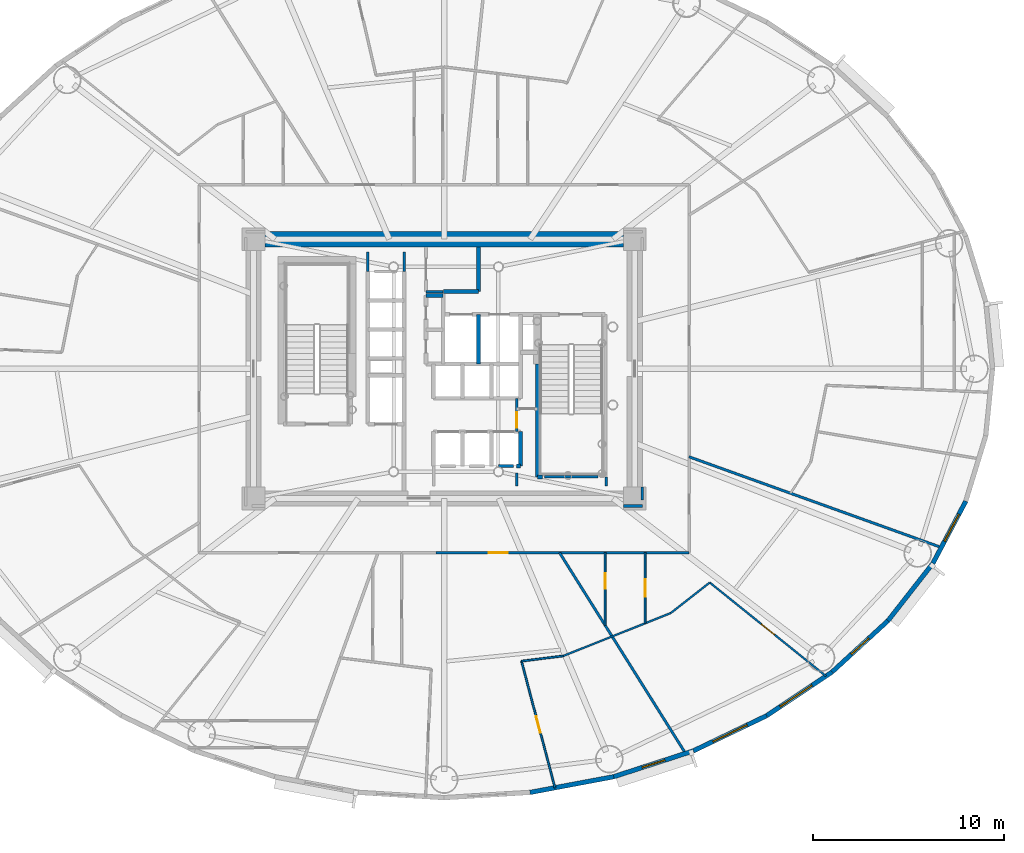
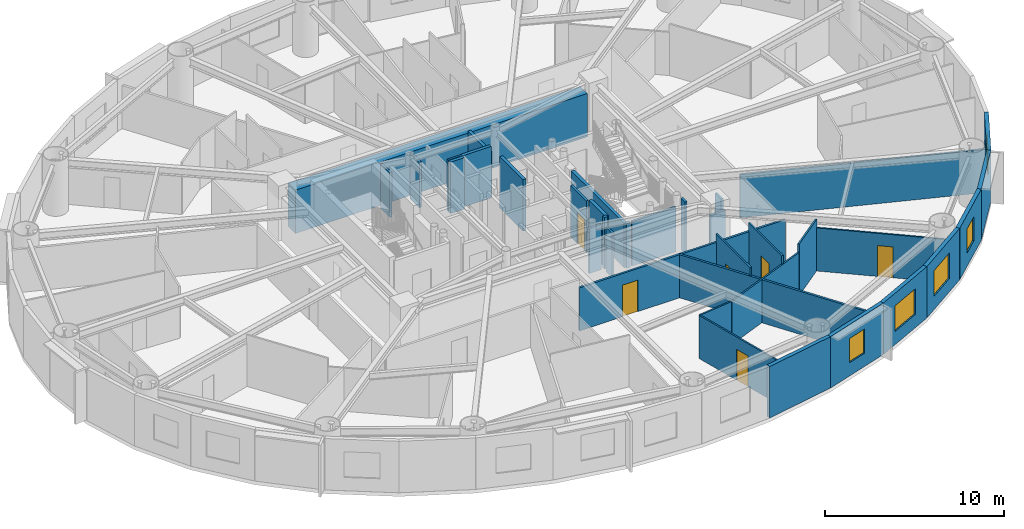
# One storey, part 10 of 19: 36 walls, 6 doors, 5 windows, 11 openings.
"""IFC4 building model written with IfcOpenShell, lengths in metres."""

from ifc_helpers import new_model, si_unit, direction, frame, frame_2d, origin, origin_2d, place, context, subcontext, project, spatial, rectangle, extrude, source, transform, mapped, material, layer, layer_set, type_object, element, fill, save


model = new_model("IFC4")

# Units and contexts
model_context = context("Model", 3, precision=1e-05, world=origin(), true_north=direction((0.0, 1.0)))
body_context = subcontext(model_context, "Body", "Model", "MODEL_VIEW")
ifc_project = project(units=[si_unit("LENGTHUNIT", "METRE"), si_unit("AREAUNIT", "SQUARE_METRE"), si_unit("VOLUMEUNIT", "CUBIC_METRE"), si_unit("PLANEANGLEUNIT", "RADIAN"), si_unit("MASSUNIT", "GRAM", prefix="KILO")], contexts=[model_context])

# Site, building, storey
site_placement = place(None, origin())
site = spatial("IfcSite", under=ifc_project, at=site_placement, CompositionType="ELEMENT")
building_placement = place(site_placement, origin())
building = spatial("IfcBuilding", under=site, at=building_placement, Name="Linh Dai School and Residence Tower", CompositionType="ELEMENT")
storey_placement = place(building_placement, frame((0.0, 0.0, 119.699951171875)))
storey = spatial("IfcBuildingStorey", under=building, at=storey_placement, Name="L28", CompositionType="ELEMENT", Elevation=119.699951171875)

# Wall
ifc_material_1 = material(Name="Precast Concrete B45 (C35/45)", Category="concrete")
ifc_layer_1 = layer(ifc_material_1, 0.239990234375)
ifc_layer_set_1 = layer_set([ifc_layer_1], Name="Precast Concrete B45 (C35/45)")
wall_type_1 = type_object("IfcWallType", Name="EW-TC-240", PredefinedType="SOLIDWALL", material=ifc_layer_set_1)
wall_1_placement = place(storey_placement, frame((44.899658203125, 5.5986328125, 0.0), z_axis=(0.0, 0.0, 1.0), x_axis=(-0.982789252177, -0.184730305596, 0.0)))
element("IfcWall", 1, at=wall_1_placement, inside=storey, type_object=wall_type_1, Name="L28 Terracotta Exterior Wall 32", PredefinedType="SOLIDWALL", context=body_context, shape_type="SweptSolid", body=[
    extrude(rectangle(XDim=4.470947265625, YDim=0.239990234375, at=frame_2d((2.2353515625, 0.0))), origin(), (0.0, 0.0, 1.0), 3.5),
])

# Wall, opening, window
wall_2_placement = place(storey_placement, frame((49.073974609375, 6.95263671875, 0.0), z_axis=(0.0, 0.0, 1.0), x_axis=(-0.951211346073, -0.308540070495, 0.0)))
wall_2 = element("IfcWall", 2, at=wall_2_placement, inside=storey, type_object=wall_type_1, Name="L28 Terracotta Exterior Wall 33", PredefinedType="SOLIDWALL", context=body_context, shape_type="SweptSolid", body=[
    extrude(rectangle(XDim=4.388427734375, YDim=0.239990234375, at=frame_2d((2.1943359375, 0.0))), origin(), (0.0, 0.0, 1.0), 3.5),
])
opening_1_placement = place(wall_2_placement, frame((1.569091796875, 0.0, 0.89990234375)))
opening_1 = element("IfcOpeningElement", 3, at=opening_1_placement, cuts=wall_2, Name="Opening W3", PredefinedType="OPENING", context=body_context, shape_type="SweptSolid", body=[
    extrude(rectangle(XDim=1.25, YDim=1.64990234375, at=origin_2d()), frame((0.625, 0.1298828125, 0.824951171875), z_axis=(0.0, -1.0, 0.0), x_axis=(1.0, 0.0, 0.0)), (0.0, 0.0, 1.0), 0.260009765625),
])
ifc_material_2 = material(Name="Double Low-E Insulated Glazing", Category="glass")
window_type_1 = type_object("IfcWindowType", Name="WN-RES-1250x1650", PartitioningType="SINGLE_PANEL", PredefinedType="WINDOW", material=ifc_material_2)
shared_shape_1 = source(origin(), body_context, "Body", "SweptSolid", [
    extrude(rectangle(XDim=1.25, YDim=1.64990234375, at=origin_2d()), frame((0.625, 0.030029296875, 0.824951171875), z_axis=(0.0, -1.0, 0.0), x_axis=(1.0, 0.0, 0.0)), (0.0, 0.0, 1.0), 0.06005859375),
])
window_1_placement = place(opening_1_placement, origin())
window_1 = element("IfcWindow", 4, at=window_1_placement, inside=storey, type_object=window_type_1, Name="L28 Dwelling Window U2805-BD2", OverallHeight=1.64990234375, OverallWidth=1.25, PartitioningType="SINGLE_PANEL", PredefinedType="WINDOW", context=body_context, shape_type="MappedRepresentation", body=[
    mapped(shared_shape_1, transform((0.0, 0.0, 0.0), x_axis=(1.0, 0.0, 0.0), y_axis=(0.0, 1.0, 0.0), z_axis=(0.0, 0.0, 1.0), scale=1.0)),
])
fill(opening_1, window_1)

wall_3_placement = place(storey_placement, frame((52.92529296875, 8.800537109375, 0.0), z_axis=(0.0, 0.0, 1.0), x_axis=(-0.901589935876, -0.432591709962, 0.0)))
wall_3 = element("IfcWall", 5, at=wall_3_placement, inside=storey, type_object=wall_type_1, Name="L28 Terracotta Exterior Wall 34", PredefinedType="SOLIDWALL", context=body_context, shape_type="SweptSolid", body=[
    extrude(rectangle(XDim=4.271728515625, YDim=0.239990234375, at=frame_2d((2.1357421875, 0.0))), origin(), (0.0, 0.0, 1.0), 3.5),
])
opening_2_placement = place(wall_3_placement, frame((1.135986328125, 0.0, 0.89990234375)))
opening_2 = element("IfcOpeningElement", 6, at=opening_2_placement, cuts=wall_3, Name="Opening W1", PredefinedType="OPENING", context=body_context, shape_type="SweptSolid", body=[
    extrude(rectangle(XDim=2.0, YDim=1.75, at=origin_2d()), frame((1.0, 0.1298828125, 0.875), z_axis=(0.0, -1.0, 0.0), x_axis=(1.0, 0.0, 0.0)), (0.0, 0.0, 1.0), 0.260009765625),
])
window_type_2 = type_object("IfcWindowType", Name="WN-RES-2000x1750", PartitioningType="DOUBLE_PANEL_VERTICAL", PredefinedType="WINDOW", material=ifc_material_2)
shared_shape_2 = source(origin(), body_context, "Body", "SweptSolid", [
    extrude(rectangle(XDim=2.0, YDim=1.75, at=origin_2d()), frame((1.0, 0.030029296875, 0.875), z_axis=(0.0, -1.0, 0.0), x_axis=(1.0, 0.0, 0.0)), (0.0, 0.0, 1.0), 0.06005859375),
])
window_2_placement = place(opening_2_placement, origin())
window_2 = element("IfcWindow", 7, at=window_2_placement, inside=storey, type_object=window_type_2, Name="L28 Exterior Window 34.1", OverallHeight=1.75, OverallWidth=2.0, PartitioningType="DOUBLE_PANEL_VERTICAL", PredefinedType="WINDOW", context=body_context, shape_type="MappedRepresentation", body=[
    mapped(shared_shape_2, transform((0.0, 0.0, 0.0), x_axis=(1.0, 0.0, 0.0), y_axis=(0.0, 1.0, 0.0), z_axis=(0.0, 0.0, 1.0), scale=1.0)),
])
fill(opening_2, window_2)

wall_4_placement = place(storey_placement, frame((56.3583984375, 11.0966796875, 0.0), z_axis=(0.0, 0.0, 1.0), x_axis=(-0.831221811447, -0.555940914284, 0.0)))
wall_4 = element("IfcWall", 8, at=wall_4_placement, inside=storey, type_object=wall_type_1, Name="L28 Terracotta Exterior Wall 35", PredefinedType="SOLIDWALL", context=body_context, shape_type="SweptSolid", body=[
    extrude(rectangle(XDim=4.130126953125, YDim=0.239990234375, at=frame_2d((2.06494140625, 0.0))), origin(), (0.0, 0.0, 1.0), 3.5),
])
opening_3_placement = place(wall_4_placement, frame((1.275634765625, 0.0, 0.89990234375)))
opening_3 = element("IfcOpeningElement", 9, at=opening_3_placement, cuts=wall_4, Name="Opening W1", PredefinedType="OPENING", context=body_context, shape_type="SweptSolid", body=[
    extrude(rectangle(XDim=2.0, YDim=1.75, at=origin_2d()), frame((1.0, 0.1298828125, 0.875), z_axis=(0.0, -1.0, 0.0), x_axis=(1.0, 0.0, 0.0)), (0.0, 0.0, 1.0), 0.260009765625),
])
window_3_placement = place(opening_3_placement, origin())
window_3 = element("IfcWindow", 10, at=window_3_placement, inside=storey, type_object=window_type_2, Name="L28 Exterior Window 35.1", OverallHeight=1.75, OverallWidth=2.0, PartitioningType="DOUBLE_PANEL_VERTICAL", PredefinedType="WINDOW", context=body_context, shape_type="MappedRepresentation", body=[
    mapped(shared_shape_2, transform((0.0, 0.0, 0.0), x_axis=(1.0, 0.0, 0.0), y_axis=(0.0, 1.0, 0.0), z_axis=(0.0, 0.0, 1.0), scale=1.0)),
])
fill(opening_3, window_3)

wall_5_placement = place(storey_placement, frame((59.2890625, 13.783447265625, 0.0), z_axis=(0.0, 0.0, 1.0), x_axis=(-0.737113356241, -0.675769117414, 0.0)))
wall_5 = element("IfcWall", 11, at=wall_5_placement, inside=storey, type_object=wall_type_1, Name="L28 Terracotta Exterior Wall 36", PredefinedType="SOLIDWALL", context=body_context, shape_type="SweptSolid", body=[
    extrude(rectangle(XDim=3.975830078125, YDim=0.239990234375, at=frame_2d((1.98779296875, 0.0))), origin(), (0.0, 0.0, 1.0), 3.5),
])
opening_4_placement = place(wall_5_placement, frame((1.363037109375, 0.0, 0.89990234375)))
opening_4 = element("IfcOpeningElement", 12, at=opening_4_placement, cuts=wall_5, Name="Opening W3", PredefinedType="OPENING", context=body_context, shape_type="SweptSolid", body=[
    extrude(rectangle(XDim=1.25, YDim=1.64990234375, at=origin_2d()), frame((0.625, 0.1298828125, 0.824951171875), z_axis=(0.0, -1.0, 0.0), x_axis=(1.0, 0.0, 0.0)), (0.0, 0.0, 1.0), 0.260009765625),
])
window_4_placement = place(opening_4_placement, origin())
window_4 = element("IfcWindow", 13, at=window_4_placement, inside=storey, type_object=window_type_1, Name="L28 Dwelling Window U2806-LIV", OverallHeight=1.64990234375, OverallWidth=1.25, PartitioningType="SINGLE_PANEL", PredefinedType="WINDOW", context=body_context, shape_type="MappedRepresentation", body=[
    mapped(shared_shape_1, transform((0.0, 0.0, 0.0), x_axis=(1.0, 0.0, 0.0), y_axis=(0.0, 1.0, 0.0), z_axis=(0.0, 0.0, 1.0), scale=1.0)),
])
fill(opening_4, window_4)

# Wall
wall_6_placement = place(storey_placement, frame((61.645263671875, 16.79443359375, 0.0), z_axis=(0.0, 0.0, 1.0), x_axis=(-0.616272103517, -0.787533297345, 0.0)))
element("IfcWall", 14, at=wall_6_placement, inside=storey, type_object=wall_type_1, Name="L28 Terracotta Exterior Wall 37", PredefinedType="SOLIDWALL", context=body_context, shape_type="SweptSolid", body=[
    extrude(rectangle(XDim=3.8232421875, YDim=0.239990234375, at=frame_2d((1.91162109375, 0.0))), origin(), (0.0, 0.0, 1.0), 3.5),
])

# Wall, opening, window
wall_7_placement = place(storey_placement, frame((63.3701171875, 20.054931640625, 0.0), z_axis=(0.0, 0.0, 1.0), x_axis=(-0.467614004126, -0.883932770716, 0.0)))
wall_7 = element("IfcWall", 15, at=wall_7_placement, inside=storey, type_object=wall_type_1, Name="L28 Terracotta Exterior Wall 38", PredefinedType="SOLIDWALL", context=body_context, shape_type="SweptSolid", body=[
    extrude(rectangle(XDim=3.688720703125, YDim=0.239990234375, at=frame_2d((1.84423828125, 0.0))), origin(), (0.0, 0.0, 1.0), 3.5),
])
opening_5_placement = place(wall_7_placement, frame((0.778076171875, 0.0, 0.89990234375)))
opening_5 = element("IfcOpeningElement", 16, at=opening_5_placement, cuts=wall_7, Name="Opening W2", PredefinedType="OPENING", context=body_context, shape_type="SweptSolid", body=[
    extrude(rectangle(XDim=1.60009765625, YDim=1.75, at=origin_2d()), frame((0.800048828125, 0.1298828125, 0.875), z_axis=(0.0, -1.0, 0.0), x_axis=(1.0, 0.0, 0.0)), (0.0, 0.0, 1.0), 0.260009765625),
])
window_type_3 = type_object("IfcWindowType", Name="WN-RES-1600x1750", PartitioningType="DOUBLE_PANEL_VERTICAL", PredefinedType="WINDOW", material=ifc_material_2)
shared_shape_3 = source(origin(), body_context, "Body", "SweptSolid", [
    extrude(rectangle(XDim=1.60009765625, YDim=1.75, at=origin_2d()), frame((0.800048828125, 0.030029296875, 0.875), z_axis=(0.0, -1.0, 0.0), x_axis=(1.0, 0.0, 0.0)), (0.0, 0.0, 1.0), 0.06005859375),
])
window_5_placement = place(opening_5_placement, origin())
window_5 = element("IfcWindow", 17, at=window_5_placement, inside=storey, type_object=window_type_3, Name="L28 Exterior Window 38.1", OverallHeight=1.75, OverallWidth=1.60009765625, PartitioningType="DOUBLE_PANEL_VERTICAL", PredefinedType="WINDOW", context=body_context, shape_type="MappedRepresentation", body=[
    mapped(shared_shape_3, transform((0.0, 0.0, 0.0), x_axis=(1.0, 0.0, 0.0), y_axis=(0.0, 1.0, 0.0), z_axis=(0.0, 0.0, 1.0), scale=1.0)),
])
fill(opening_5, window_5)

# Wall
ifc_material_3 = material(Name="Autoclaved Aerated Concrete Blockwork", Category="masonry")
ifc_layer_2 = layer(ifc_material_3, 0.135009765625)
ifc_layer_set_2 = layer_set([ifc_layer_2], Name="Autoclaved Aerated Concrete Blockwork")
wall_type_2 = type_object("IfcWallType", Name="IW-CORR-135-EI90", PredefinedType="PARTITIONING", material=ifc_layer_set_2)
wall_8_placement = place(storey_placement, frame((35.050048828125, 31.050048828125, 0.0), z_axis=(0.0, 0.0, 1.0), x_axis=(1.0, 0.0, 0.0)))
element("IfcWall", 18, at=wall_8_placement, inside=storey, type_object=wall_type_2, Name="L28 Interior Partition Wall 047", PredefinedType="PARTITIONING", context=body_context, shape_type="SweptSolid", body=[
    extrude(rectangle(XDim=0.89990234375, YDim=0.135009765625, at=frame_2d((0.449951171875, 0.0))), origin(), (0.0, 0.0, 1.0), 3.5),
])

# Wall, opening, door
wall_9_placement = place(storey_placement, frame((35.583740234375, 17.35009765625, 0.0), z_axis=(0.0, 0.0, 1.0), x_axis=(1.0, 0.0, 0.0)))
wall_9 = element("IfcWall", 19, at=wall_9_placement, inside=storey, type_object=wall_type_2, Name="L28 Interior Partition Wall 052", PredefinedType="PARTITIONING", context=body_context, shape_type="SweptSolid", body=[
    extrude(rectangle(XDim=13.266357421875, YDim=0.135009765625, at=frame_2d((6.63330078125, 0.0))), origin(), (0.0, 0.0, 1.0), 2.93505859375),
])
opening_6_placement = place(wall_9_placement, frame((2.757080078125, 0.0, 0.0)))
opening_6 = element("IfcOpeningElement", 20, at=opening_6_placement, cuts=wall_9, Name="Opening D03", PredefinedType="OPENING", context=body_context, shape_type="SweptSolid", body=[
    extrude(rectangle(XDim=1.0, YDim=2.14990234375, at=origin_2d()), frame((0.5, 0.07763671875, 1.074951171875), z_axis=(0.0, -1.0, 0.0), x_axis=(1.0, 0.0, 0.0)), (0.0, 0.0, 1.0), 0.155029296875),
])
ifc_material_4 = material(Name="Fire-Rated Solid Timber Entrance Door", Category="wood")
door_type_1 = type_object("IfcDoorType", Name="DR-FLAT-1000x2150-FD60S", OperationType="NOTDEFINED", PredefinedType="DOOR", material=ifc_material_4)
shared_shape_4 = source(origin(), body_context, "Body", "SweptSolid", [
    extrude(rectangle(XDim=1.0, YDim=2.14990234375, at=origin_2d()), frame((0.5, 0.02490234375, 1.074951171875), z_axis=(0.0, -1.0, 0.0), x_axis=(1.0, 0.0, 0.0)), (0.0, 0.0, 1.0), 0.050048828125),
])
door_1_placement = place(opening_6_placement, origin())
door_1 = element("IfcDoor", 21, at=door_1_placement, inside=storey, type_object=door_type_1, Name="L28 U2805 Apartment Entrance Door", OperationType="SINGLE_SWING_LEFT", OverallHeight=2.14990234375, OverallWidth=1.0, PredefinedType="DOOR", context=body_context, shape_type="MappedRepresentation", body=[
    mapped(shared_shape_4, transform((0.0, 0.0, 0.0), x_axis=(1.0, 0.0, 0.0), y_axis=(0.0, 1.0, 0.0), z_axis=(0.0, 0.0, 1.0), scale=1.0)),
])
fill(opening_6, door_1)

wall_10_placement = place(storey_placement, frame((39.800048828125, 23.699951171875, 0.0), z_axis=(0.0, 0.0, 1.0), x_axis=(0.0, 1.0, 0.0)))
wall_10 = element("IfcWall", 22, at=wall_10_placement, inside=storey, type_object=wall_type_2, Name="L28 Interior Partition Wall 068", PredefinedType="PARTITIONING", context=body_context, shape_type="SweptSolid", body=[
    extrude(rectangle(XDim=1.75, YDim=0.135009765625, at=frame_2d((0.875, 0.0))), origin(), (0.0, 0.0, 1.0), 3.5),
])
opening_7_placement = place(wall_10_placement, frame((0.2099609375, 0.0, 0.0)))
opening_7 = element("IfcOpeningElement", 23, at=opening_7_placement, cuts=wall_10, Name="Opening D06", PredefinedType="OPENING", context=body_context, shape_type="SweptSolid", body=[
    extrude(rectangle(XDim=0.820068359375, YDim=2.10009765625, at=origin_2d()), frame((0.41015625, 0.07763671875, 1.050048828125), z_axis=(0.0, -1.0, 0.0), x_axis=(1.0, 0.0, 0.0)), (0.0, 0.0, 1.0), 0.155029296875),
])
ifc_material_5 = material(Name="Moisture-Resistant Timber Bathroom Door", Category="wood")
door_type_2 = type_object("IfcDoorType", Name="DR-WET-820x2100", OperationType="NOTDEFINED", PredefinedType="DOOR", material=ifc_material_5)
shared_shape_5 = source(origin(), body_context, "Body", "SweptSolid", [
    extrude(rectangle(XDim=0.820068359375, YDim=2.10009765625, at=origin_2d()), frame((0.41015625, 0.02490234375, 1.050048828125), z_axis=(0.0, -1.0, 0.0), x_axis=(1.0, 0.0, 0.0)), (0.0, 0.0, 1.0), 0.050048828125),
])
door_2_placement = place(opening_7_placement, origin())
door_2 = element("IfcDoor", 24, at=door_2_placement, inside=storey, type_object=door_type_2, Name="L28 SE Electrical Closet Door", OperationType="SINGLE_SWING_RIGHT", OverallHeight=2.10009765625, OverallWidth=0.820068359375, PredefinedType="DOOR", context=body_context, shape_type="MappedRepresentation", body=[
    mapped(shared_shape_5, transform((0.0, 0.0, 0.0), x_axis=(1.0, 0.0, 0.0), y_axis=(0.0, 1.0, 0.0), z_axis=(0.0, 0.0, 1.0), scale=1.0)),
])
fill(opening_7, door_2)

# Walls
wall_11_placement = place(storey_placement, frame((42.0576171875, 17.35009765625, 0.0), z_axis=(0.0, 0.0, 1.0), x_axis=(0.531660079213, -0.846957826678, 0.0)))
element("IfcWall", 25, at=wall_11_placement, inside=storey, type_object=wall_type_2, Name="L28 Interior Partition Wall 078", PredefinedType="PARTITIONING", context=body_context, shape_type="SweptSolid", body=[
    extrude(rectangle(XDim=12.43701171875, YDim=0.135009765625, at=frame_2d((6.218505859375, 0.0))), origin(), (0.0, 0.0, 1.0), 2.93505859375),
])
wall_12_placement = place(storey_placement, frame((48.85009765625, 22.382568359375, 0.0), z_axis=(0.0, 0.0, 1.0), x_axis=(0.941089213164, -0.338158384292, 0.0)))
element("IfcWall", 26, at=wall_12_placement, inside=storey, type_object=wall_type_2, Name="L28 Interior Partition Wall 090", PredefinedType="PARTITIONING", context=body_context, shape_type="SweptSolid", body=[
    extrude(rectangle(XDim=14.069091796875, YDim=0.135009765625, at=frame_2d((7.03466796875, 0.0))), origin(), (0.0, 0.0, 1.0), 2.93505859375),
])
wall_13_placement = place(storey_placement, frame((44.080078125, 21.330078125, 0.0), z_axis=(0.0, 0.0, 1.0), x_axis=(-1.0, 0.0, 0.0)))
element("IfcWall", 27, at=wall_13_placement, inside=storey, type_object=wall_type_2, Name="L28 Interior Partition Wall 101", PredefinedType="PARTITIONING", context=body_context, shape_type="SweptSolid", body=[
    extrude(rectangle(XDim=2.820068359375, YDim=0.135009765625, at=frame_2d((1.41015625, 0.0))), origin(), (0.0, 0.0, 1.0), 3.03515625),
])
wall_14_placement = place(storey_placement, frame((39.639892578125, 21.89990234375, 0.0), z_axis=(0.0, 0.0, 1.0), x_axis=(-1.0, 0.0, 0.0)))
element("IfcWall", 28, at=wall_14_placement, inside=storey, type_object=wall_type_2, Name="L28 Interior Partition Wall 104", PredefinedType="PARTITIONING", context=body_context, shape_type="SweptSolid", body=[
    extrude(rectangle(XDim=0.7998046875, YDim=0.135009765625, at=frame_2d((0.39990234375, 0.0))), origin(), (0.0, 0.0, 1.0), 3.0849609375),
])
wall_15_placement = place(storey_placement, frame((39.800048828125, 20.860107421875, 0.0), z_axis=(0.0, 0.0, 1.0), x_axis=(0.0, 1.0, 0.0)))
element("IfcWall", 29, at=wall_15_placement, inside=storey, type_object=wall_type_2, Name="L28 Interior Partition Wall 106", PredefinedType="PARTITIONING", context=body_context, shape_type="SweptSolid", body=[
    extrude(rectangle(XDim=0.679931640625, YDim=0.135009765625, at=frame_2d((0.33984375, 0.0))), origin(), (0.0, 0.0, 1.0), 3.03515625),
])
wall_16_placement = place(storey_placement, frame((32.0, 33.139892578125, 0.0), z_axis=(0.0, 0.0, 1.0), x_axis=(0.0, -1.0, 0.0)))
element("IfcWall", 30, at=wall_16_placement, inside=storey, type_object=wall_type_2, Name="L28 Interior Partition Wall 107", PredefinedType="PARTITIONING", context=body_context, shape_type="SweptSolid", body=[
    extrude(rectangle(XDim=1.02978515625, YDim=0.135009765625, at=frame_2d((0.514892578125, 0.0))), origin(), (0.0, 0.0, 1.0), 3.03515625),
])
wall_17_placement = place(storey_placement, frame((44.5, 20.860107421875, 0.0), z_axis=(0.0, 0.0, 1.0), x_axis=(0.0, 1.0, 0.0)))
element("IfcWall", 31, at=wall_17_placement, inside=storey, type_object=wall_type_2, Name="L28 Interior Partition Wall 108", PredefinedType="PARTITIONING", context=body_context, shape_type="SweptSolid", body=[
    extrude(rectangle(XDim=0.4599609375, YDim=0.135009765625, at=frame_2d((0.22998046875, 0.0))), origin(), (0.0, 0.0, 1.0), 3.5),
])
wall_18_placement = place(storey_placement, frame((33.89990234375, 32.110107421875, 0.0), z_axis=(0.0, 0.0, 1.0), x_axis=(0.0, 1.0, 0.0)))
element("IfcWall", 32, at=wall_18_placement, inside=storey, type_object=wall_type_2, Name="L28 Interior Partition Wall 110", PredefinedType="PARTITIONING", context=body_context, shape_type="SweptSolid", body=[
    extrude(rectangle(XDim=1.02978515625, YDim=0.135009765625, at=frame_2d((0.514892578125, 0.0))), origin(), (0.0, 0.0, 1.0), 3.0849609375),
])
wall_19_placement = place(storey_placement, frame((45.409912109375, 19.800048828125, 0.0), z_axis=(0.0, 0.0, 1.0), x_axis=(1.0, 0.0, 0.0)))
element("IfcWall", 33, at=wall_19_placement, inside=storey, type_object=wall_type_2, Name="L28 Interior Partition Wall 118", PredefinedType="PARTITIONING", context=body_context, shape_type="SweptSolid", body=[
    extrude(rectangle(XDim=0.989990234375, YDim=0.135009765625, at=frame_2d((0.4951171875, 0.0))), origin(), (0.0, 0.0, 1.0), 2.93505859375),
])
wall_20_placement = place(storey_placement, frame((46.39990234375, 20.107421875, 0.0), z_axis=(0.0, 0.0, 1.0), x_axis=(0.0, 1.0, 0.0)))
element("IfcWall", 34, at=wall_20_placement, inside=storey, type_object=wall_type_2, Name="L28 Interior Partition Wall 119", PredefinedType="PARTITIONING", context=body_context, shape_type="SweptSolid", body=[
    extrude(rectangle(XDim=0.6826171875, YDim=0.135009765625, at=frame_2d((0.34130859375, 0.0))), origin(), (0.0, 0.0, 1.0), 3.5),
])
ifc_material_6 = material(Name="Concrete B45 (C35/45)", Category="concrete")
ifc_layer_3 = layer(ifc_material_6, 0.199951171875)
ifc_layer_set_3 = layer_set([ifc_layer_3], Name="Concrete B45 (C35/45)")
wall_type_3 = type_object("IfcWallType", Name="IW-SHAFT-200-EI120", PredefinedType="PARTITIONING", material=ifc_layer_set_3)
wall_21_placement = place(storey_placement, frame((35.050048828125, 30.85009765625, 0.0), z_axis=(0.0, 0.0, 1.0), x_axis=(1.0, 0.0, 0.0)))
element("IfcWall", 35, at=wall_21_placement, inside=storey, type_object=wall_type_3, Name="L28 Interior Partition Wall 045", PredefinedType="PARTITIONING", context=body_context, shape_type="SweptSolid", body=[
    extrude(rectangle(XDim=0.89990234375, YDim=0.199951171875, at=frame_2d((0.449951171875, 0.0))), origin(), (0.0, 0.0, 1.0), 3.5),
])
wall_22_placement = place(storey_placement, frame((35.9599609375, 31.050048828125, 0.0), z_axis=(0.0, 0.0, 1.0), x_axis=(1.0, 0.0, 0.0)))
element("IfcWall", 36, at=wall_22_placement, inside=storey, type_object=wall_type_3, Name="L28 Interior Partition Wall 056", PredefinedType="PARTITIONING", context=body_context, shape_type="SweptSolid", body=[
    extrude(rectangle(XDim=1.840087890625, YDim=0.199951171875, at=frame_2d((0.919921875, 0.0))), origin(), (0.0, 0.0, 1.0), 3.5),
])
wall_23_placement = place(storey_placement, frame((37.800048828125, 27.25, 0.0), z_axis=(0.0, 0.0, 1.0), x_axis=(0.0, 1.0, 0.0)))
element("IfcWall", 37, at=wall_23_placement, inside=storey, type_object=wall_type_3, Name="L28 Interior Partition Wall 061", PredefinedType="PARTITIONING", context=body_context, shape_type="SweptSolid", body=[
    extrude(rectangle(XDim=2.60009765625, YDim=0.199951171875, at=frame_2d((1.300048828125, 0.0))), origin(), (0.0, 0.0, 1.0), 3.5),
])
wall_24_placement = place(storey_placement, frame((37.800048828125, 31.050048828125, 0.0), z_axis=(0.0, 0.0, 1.0), x_axis=(0.0, 1.0, 0.0)))
element("IfcWall", 38, at=wall_24_placement, inside=storey, type_object=wall_type_3, Name="L28 Interior Partition Wall 062", PredefinedType="PARTITIONING", context=body_context, shape_type="SweptSolid", body=[
    extrude(rectangle(XDim=2.349853515625, YDim=0.199951171875, at=frame_2d((1.1748046875, 0.0))), origin(), (0.0, 0.0, 1.0), 3.0849609375),
])
wall_25_placement = place(storey_placement, frame((39.800048828125, 21.89990234375, 0.0), z_axis=(0.0, 0.0, 1.0), x_axis=(1.0, 0.0, 0.0)))
element("IfcWall", 39, at=wall_25_placement, inside=storey, type_object=wall_type_3, Name="L28 Interior Partition Wall 067", PredefinedType="PARTITIONING", context=body_context, shape_type="SweptSolid", body=[
    extrude(rectangle(XDim=0.199951171875, YDim=0.199951171875, at=frame_2d((0.10009765625, 0.0))), origin(), (0.0, 0.0, 1.0), 3.5),
])
wall_26_placement = place(storey_placement, frame((40.0, 21.89990234375, 0.0), z_axis=(0.0, 0.0, 1.0), x_axis=(0.0, 1.0, 0.0)))
element("IfcWall", 40, at=wall_26_placement, inside=storey, type_object=wall_type_3, Name="L28 Interior Partition Wall 070", PredefinedType="PARTITIONING", context=body_context, shape_type="SweptSolid", body=[
    extrude(rectangle(XDim=1.800048828125, YDim=0.199951171875, at=frame_2d((0.89990234375, 0.0))), origin(), (0.0, 0.0, 1.0), 3.5),
])
wall_27_placement = place(storey_placement, frame((40.89990234375, 21.330078125, 0.0), z_axis=(0.0, 0.0, 1.0), x_axis=(0.0, 1.0, 0.0)))
element("IfcWall", 41, at=wall_27_placement, inside=storey, type_object=wall_type_3, Name="L28 Interior Partition Wall 076", PredefinedType="PARTITIONING", context=body_context, shape_type="SweptSolid", body=[
    extrude(rectangle(XDim=5.909912109375, YDim=0.199951171875, at=frame_2d((2.955078125, 0.0))), origin(), (0.0, 0.0, 1.0), 3.03515625),
])
wall_28_placement = place(storey_placement, frame((40.89990234375, 21.330078125, 0.0), z_axis=(0.0, 0.0, 1.0), x_axis=(1.0, 0.0, 0.0)))
element("IfcWall", 42, at=wall_28_placement, inside=storey, type_object=wall_type_3, Name="L28 Interior Partition Wall 077", PredefinedType="PARTITIONING", context=body_context, shape_type="SweptSolid", body=[
    extrude(rectangle(XDim=0.25, YDim=0.199951171875, at=frame_2d((0.125, 0.0))), origin(), (0.0, 0.0, 1.0), 3.03515625),
])

# Wall, opening, door
ifc_material_7 = material(Name="Gypsum Plasterboard Acoustic Stud Partition", Category="masonry")
ifc_layer_4 = layer(ifc_material_7, 0.10009765625)
ifc_layer_set_4 = layer_set([ifc_layer_4], Name="Gypsum Plasterboard Acoustic Stud Partition")
wall_type_4 = type_object("IfcWallType", Name="IW-UNIT-100", PredefinedType="PARTITIONING", material=ifc_layer_set_4)
wall_29_placement = place(storey_placement, frame((40.05908203125, 11.662353515625, 0.0), z_axis=(0.0, 0.0, 1.0), x_axis=(0.255861334688, -0.966713492929, 0.0)))
wall_29 = element("IfcWall", 43, at=wall_29_placement, inside=storey, type_object=wall_type_4, Name="L28 Interior Partition Wall 073", PredefinedType="PARTITIONING", context=body_context, shape_type="SweptSolid", body=[
    extrude(rectangle(XDim=6.876953125, YDim=0.10009765625, at=frame_2d((3.4384765625, 0.0))), origin(), (0.0, 0.0, 1.0), 2.93505859375),
])
opening_8_placement = place(wall_29_placement, frame((2.98828125, 0.0, 0.0)))
opening_8 = element("IfcOpeningElement", 44, at=opening_8_placement, cuts=wall_29, Name="Opening D05", PredefinedType="OPENING", context=body_context, shape_type="SweptSolid", body=[
    extrude(rectangle(XDim=0.89990234375, YDim=2.10009765625, at=origin_2d()), frame((0.449951171875, 0.06005859375, 1.050048828125), z_axis=(0.0, -1.0, 0.0), x_axis=(1.0, 0.0, 0.0)), (0.0, 0.0, 1.0), 0.1201171875),
])
ifc_material_8 = material(Name="Engineered Timber Internal Door", Category="wood")
door_type_3 = type_object("IfcDoorType", Name="DR-INT-900x2100", OperationType="NOTDEFINED", PredefinedType="DOOR", material=ifc_material_8)
shared_shape_6 = source(origin(), body_context, "Body", "SweptSolid", [
    extrude(rectangle(XDim=0.89990234375, YDim=2.10009765625, at=origin_2d()), frame((0.449951171875, 0.02490234375, 1.050048828125), z_axis=(0.0, -1.0, 0.0), x_axis=(1.0, 0.0, 0.0)), (0.0, 0.0, 1.0), 0.050048828125),
])
door_3_placement = place(opening_8_placement, origin())
door_3 = element("IfcDoor", 45, at=door_3_placement, inside=storey, type_object=door_type_3, Name="L28 Apartment U2805 Principal Bedroom 2 Door", OperationType="SINGLE_SWING_LEFT", OverallHeight=2.10009765625, OverallWidth=0.89990234375, PredefinedType="DOOR", context=body_context, shape_type="MappedRepresentation", body=[
    mapped(shared_shape_6, transform((0.0, 0.0, 0.0), x_axis=(1.0, 0.0, 0.0), y_axis=(0.0, 1.0, 0.0), z_axis=(0.0, 0.0, 1.0), scale=1.0)),
])
fill(opening_8, door_3)

# Walls
wall_30_placement = place(storey_placement, frame((40.05908203125, 11.662353515625, 0.0), z_axis=(0.0, 0.0, 1.0), x_axis=(0.992393057675, 0.12310978466, 0.0)))
element("IfcWall", 46, at=wall_30_placement, inside=storey, type_object=wall_type_4, Name="L28 Interior Partition Wall 074", PredefinedType="PARTITIONING", context=body_context, shape_type="SweptSolid", body=[
    extrude(rectangle(XDim=2.209228515625, YDim=0.10009765625, at=frame_2d((1.1044921875, 0.0))), origin(), (0.0, 0.0, 1.0), 2.93505859375),
])
wall_31_placement = place(storey_placement, frame((42.25146484375, 11.934326171875, 0.0), z_axis=(0.0, 0.0, 1.0), x_axis=(0.928803554156, 0.370572473055, 0.0)))
element("IfcWall", 47, at=wall_31_placement, inside=storey, type_object=wall_type_4, Name="L28 Interior Partition Wall 079", PredefinedType="PARTITIONING", context=body_context, shape_type="SweptSolid", body=[
    extrude(rectangle(XDim=6.07177734375, YDim=0.10009765625, at=frame_2d((3.035888671875, 0.0))), origin(), (0.0, 0.0, 1.0), 2.93505859375),
])

# Wall, opening, door
wall_32_placement = place(storey_placement, frame((44.44677734375, 13.5439453125, 0.0), z_axis=(0.0, 0.0, 1.0), x_axis=(0.0, 1.0, 0.0)))
wall_32 = element("IfcWall", 48, at=wall_32_placement, inside=storey, type_object=wall_type_4, Name="L28 Interior Partition Wall 083", PredefinedType="PARTITIONING", context=body_context, shape_type="SweptSolid", body=[
    extrude(rectangle(XDim=3.80615234375, YDim=0.10009765625, at=frame_2d((1.903076171875, 0.0))), origin(), (0.0, 0.0, 1.0), 3.5),
])
opening_9_placement = place(wall_32_placement, frame((1.90478515625, 0.0, 0.0)))
opening_9 = element("IfcOpeningElement", 49, at=opening_9_placement, cuts=wall_32, Name="Opening D06", PredefinedType="OPENING", context=body_context, shape_type="SweptSolid", body=[
    extrude(rectangle(XDim=0.820068359375, YDim=2.10009765625, at=origin_2d()), frame((0.41015625, 0.06005859375, 1.050048828125), z_axis=(0.0, -1.0, 0.0), x_axis=(1.0, 0.0, 0.0)), (0.0, 0.0, 1.0), 0.1201171875),
])
door_4_placement = place(opening_9_placement, origin())
door_4 = element("IfcDoor", 50, at=door_4_placement, inside=storey, type_object=door_type_2, Name="L28 Apartment U2806 Bathroom 1 Door", OperationType="SINGLE_SWING_LEFT", OverallHeight=2.10009765625, OverallWidth=0.820068359375, PredefinedType="DOOR", context=body_context, shape_type="MappedRepresentation", body=[
    mapped(shared_shape_5, transform((0.0, 0.0, 0.0), x_axis=(1.0, 0.0, 0.0), y_axis=(0.0, 1.0, 0.0), z_axis=(0.0, 0.0, 1.0), scale=1.0)),
])
fill(opening_9, door_4)

wall_33_placement = place(storey_placement, frame((46.54931640625, 13.649169921875, 0.0), z_axis=(0.0, 0.0, 1.0), x_axis=(0.0, 1.0, 0.0)))
wall_33 = element("IfcWall", 51, at=wall_33_placement, inside=storey, type_object=wall_type_4, Name="L28 Interior Partition Wall 084", PredefinedType="PARTITIONING", context=body_context, shape_type="SweptSolid", body=[
    extrude(rectangle(XDim=3.700927734375, YDim=0.10009765625, at=frame_2d((1.8505859375, 0.0))), origin(), (0.0, 0.0, 1.0), 3.5),
])
opening_10_placement = place(wall_33_placement, frame((1.400390625, 0.0, 0.0)))
opening_10 = element("IfcOpeningElement", 52, at=opening_10_placement, cuts=wall_33, Name="Opening D05", PredefinedType="OPENING", context=body_context, shape_type="SweptSolid", body=[
    extrude(rectangle(XDim=0.89990234375, YDim=2.10009765625, at=origin_2d()), frame((0.449951171875, 0.06005859375, 1.050048828125), z_axis=(0.0, -1.0, 0.0), x_axis=(1.0, 0.0, 0.0)), (0.0, 0.0, 1.0), 0.1201171875),
])
door_5_placement = place(opening_10_placement, origin())
door_5 = element("IfcDoor", 53, at=door_5_placement, inside=storey, type_object=door_type_3, Name="L28 Apartment U2806 Kitchen Door", OperationType="SINGLE_SWING_RIGHT", OverallHeight=2.10009765625, OverallWidth=0.89990234375, PredefinedType="DOOR", context=body_context, shape_type="MappedRepresentation", body=[
    mapped(shared_shape_6, transform((0.0, 0.0, 0.0), x_axis=(1.0, 0.0, 0.0), y_axis=(0.0, 1.0, 0.0), z_axis=(0.0, 0.0, 1.0), scale=1.0)),
])
fill(opening_10, door_5)

# Wall
wall_34_placement = place(storey_placement, frame((47.890869140625, 14.184326171875, 0.0), z_axis=(0.0, 0.0, 1.0), x_axis=(0.787364158956, 0.616488184146, 0.0)))
element("IfcWall", 54, at=wall_34_placement, inside=storey, type_object=wall_type_4, Name="L28 Interior Partition Wall 087", PredefinedType="PARTITIONING", context=body_context, shape_type="SweptSolid", body=[
    extrude(rectangle(XDim=2.597412109375, YDim=0.10009765625, at=frame_2d((1.298828125, 0.0))), origin(), (0.0, 0.0, 1.0), 3.5),
])

# Wall, opening, door
wall_35_placement = place(storey_placement, frame((49.93603515625, 15.78564453125, 0.0), z_axis=(0.0, 0.0, 1.0), x_axis=(0.779083359145, -0.626920345421, 0.0)))
wall_35 = element("IfcWall", 55, at=wall_35_placement, inside=storey, type_object=wall_type_4, Name="L28 Interior Partition Wall 092", PredefinedType="PARTITIONING", context=body_context, shape_type="SweptSolid", body=[
    extrude(rectangle(XDim=7.831298828125, YDim=0.10009765625, at=frame_2d((3.91552734375, 0.0))), origin(), (0.0, 0.0, 1.0), 2.93505859375),
])
opening_11_placement = place(wall_35_placement, frame((3.4658203125, 0.0, 0.0)))
opening_11 = element("IfcOpeningElement", 56, at=opening_11_placement, cuts=wall_35, Name="Opening D05", PredefinedType="OPENING", context=body_context, shape_type="SweptSolid", body=[
    extrude(rectangle(XDim=0.89990234375, YDim=2.10009765625, at=origin_2d()), frame((0.449951171875, 0.06005859375, 1.050048828125), z_axis=(0.0, -1.0, 0.0), x_axis=(1.0, 0.0, 0.0)), (0.0, 0.0, 1.0), 0.1201171875),
])
door_6_placement = place(opening_11_placement, origin())
door_6 = element("IfcDoor", 57, at=door_6_placement, inside=storey, type_object=door_type_3, Name="L28 Apartment U2806 Principal Bedroom 1 Door", OperationType="SINGLE_SWING_LEFT", OverallHeight=2.10009765625, OverallWidth=0.89990234375, PredefinedType="DOOR", context=body_context, shape_type="MappedRepresentation", body=[
    mapped(shared_shape_6, transform((0.0, 0.0, 0.0), x_axis=(1.0, 0.0, 0.0), y_axis=(0.0, 1.0, 0.0), z_axis=(0.0, 0.0, 1.0), scale=1.0)),
])
fill(opening_11, door_6)

# Wall
ifc_material_9 = material(Name="Concrete B60 (C50/60)", Category="concrete")
ifc_layer_5 = layer(ifc_material_9, 0.800048828125)
ifc_layer_set_5 = layer_set([ifc_layer_5], Name="Concrete B60 (C50/60)")
wall_type_5 = type_object("IfcWallType", Name="WL-CORE800", PredefinedType="SHEAR", material=ifc_layer_set_5)
wall_36_placement = place(storey_placement, frame((26.60009765625, 33.800048828125, 0.0), z_axis=(0.0, 0.0, 1.0), x_axis=(1.0, 0.0, 0.0)))
element("IfcWall", 58, at=wall_36_placement, inside=storey, type_object=wall_type_5, Name="L28 Central Core Shear Wall N", PredefinedType="SHEAR", context=body_context, shape_type="SweptSolid", body=[
    extrude(rectangle(XDim=18.7998046875, YDim=0.800048828125, at=frame_2d((9.39990234375, 0.0))), origin(), (0.0, 0.0, 1.0), 2.949951171875),
])

save(model, "model.ifc")
